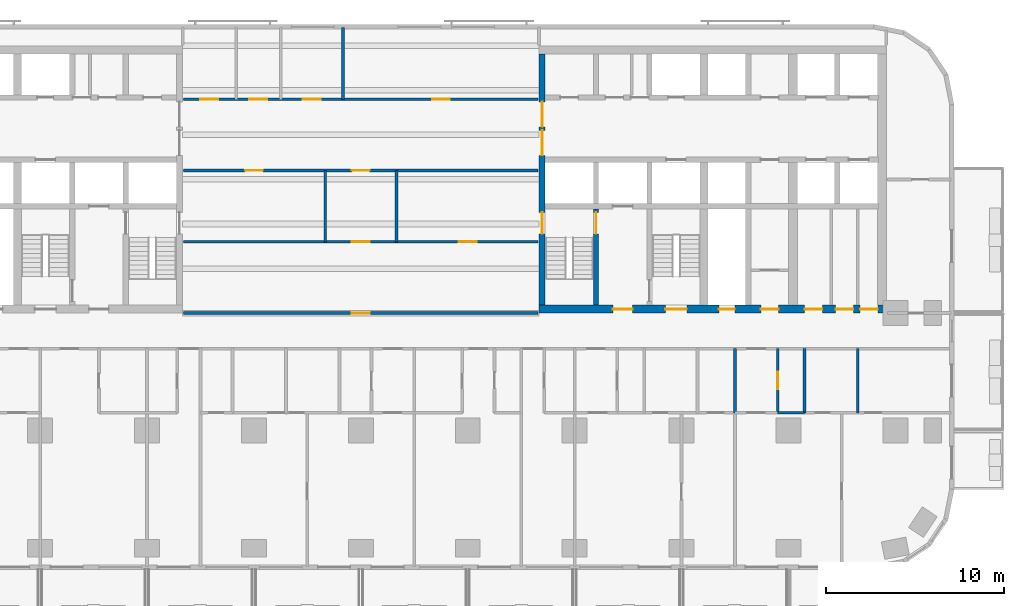
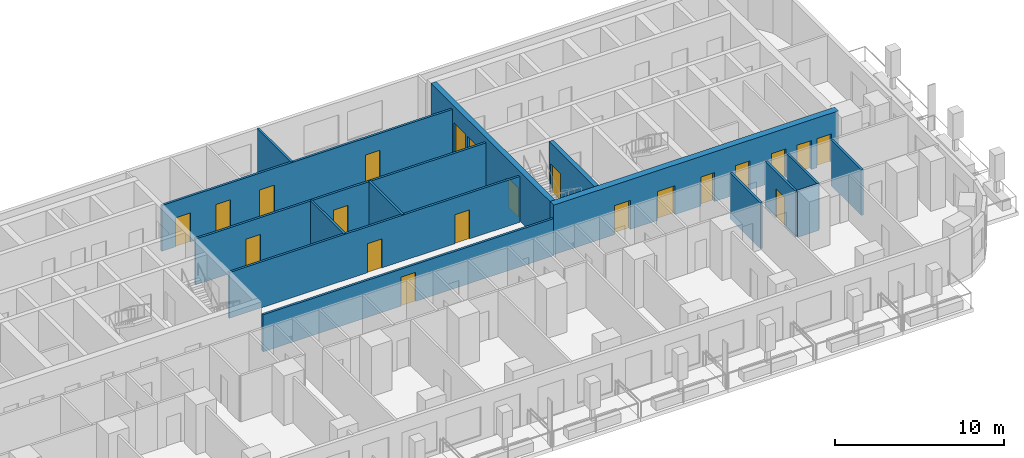
# One storey, part 7 of 15: 21 doors, 15 walls, 21 openings.
"""IFC4 building model written with IfcOpenShell, lengths in metres."""

from ifc_helpers import new_model, si_unit, direction, frame, frame_2d, origin, place, context, subcontext, project, spatial, rectangle, extrude, material, layer, layer_set, type_object, element, fill, save


model = new_model("IFC4")

# Units and contexts
model_context = context("Model", 3, precision=1e-05, world=origin(), true_north=direction((0.0, 1.0)))
body_context = subcontext(model_context, "Body", "Model", "MODEL_VIEW")
ifc_project = project(units=[si_unit("LENGTHUNIT", "METRE"), si_unit("AREAUNIT", "SQUARE_METRE"), si_unit("VOLUMEUNIT", "CUBIC_METRE"), si_unit("PLANEANGLEUNIT", "RADIAN"), si_unit("MASSUNIT", "GRAM", prefix="KILO")], contexts=[model_context])

# Site, building, storey
site_placement = place(None, origin())
site = spatial("IfcSite", under=ifc_project, at=site_placement, CompositionType="ELEMENT")
building_placement = place(site_placement, origin())
building = spatial("IfcBuilding", under=site, at=building_placement, Name="Torana Hotel and Residences", CompositionType="ELEMENT")
storey_placement = place(building_placement, frame((0.0, 0.0, 92.39990234375)))
storey = spatial("IfcBuildingStorey", under=building, at=storey_placement, Name="L23", CompositionType="ELEMENT", Elevation=92.39990234375)

# Wall, opening, door
ifc_material_1 = material(Name="Concrete C80/95", Category="concrete")
ifc_layer_1 = layer(ifc_material_1, 0.300048828125)
ifc_layer_set_1 = layer_set([ifc_layer_1], Name="CORE WALL 300 C80/95")
wall_type_1 = type_object("IfcWallType", Name="CORE WALL 300 C80/95", PredefinedType="SHEAR", material=ifc_layer_set_1)
wall_1_placement = place(storey_placement, frame((13.199951171875, -14.550048828125, 0.0), z_axis=(0.0, 0.0, 1.0), x_axis=(0.0, 1.0, 0.0)))
wall_1 = element("IfcWall", 1, at=wall_1_placement, inside=storey, type_object=wall_type_1, Name="Core wall E x3.05-band", PredefinedType="SHEAR", context=body_context, shape_type="SweptSolid", body=[
    extrude(rectangle(XDim=5.400146484375, YDim=0.300048828125, at=frame_2d((2.7001953125, 0.0))), origin(), (0.0, 0.0, 1.0), 3.60009765625),
])
opening_1_placement = place(wall_1_placement, frame((4.0, 0.0, 0.0)))
opening_1 = element("IfcOpeningElement", 2, at=opening_1_placement, cuts=wall_1, Name="Opening L23-35", PredefinedType="OPENING", context=body_context, shape_type="SweptSolid", body=[
    extrude(rectangle(XDim=1.199951171875, YDim=2.10009765625, at=frame_2d((0.60009765625, 1.050048828125))), frame((0.0, 0.159912109375, 0.0), z_axis=(0.0, -1.0, 0.0), x_axis=(1.0, 0.0, 0.0)), (0.0, 0.0, 1.0), 0.320068359375),
])
ifc_material_2 = material(Name="Steel S235", Category="steel")
door_type_1 = type_object("IfcDoorType", Name="STAIR FIRE DOOR D3 1200x2100", OperationType="SINGLE_SWING_LEFT", PredefinedType="DOOR", material=ifc_material_2)
door_1_placement = place(opening_1_placement, origin())
door_1 = element("IfcDoor", 3, at=door_1_placement, inside=storey, type_object=door_type_1, Name="Stair-A-lobby door L23", OperationType="SINGLE_SWING_LEFT", OverallHeight=2.10009765625, OverallWidth=1.199951171875, PredefinedType="DOOR", context=body_context, shape_type="SweptSolid", body=[
    extrude(rectangle(XDim=1.199951171875, YDim=2.10009765625, at=frame_2d((0.60009765625, 1.050048828125))), frame((0.0, 0.02490234375, 0.0), z_axis=(0.0, -1.0, 0.0), x_axis=(1.0, 0.0, 0.0)), (0.0, 0.0, 1.0), 0.050048828125),
])
fill(opening_1, door_1)

# Wall, openings, doors
ifc_material_3 = material(Name="Concrete C80/95", Category="concrete")
ifc_layer_2 = layer(ifc_material_3, 0.35009765625)
ifc_layer_set_2 = layer_set([ifc_layer_2], Name="CORE WALL 350 C80/95")
wall_type_2 = type_object("IfcWallType", Name="CORE WALL 350 C80/95", PredefinedType="SHEAR", material=ifc_layer_set_2)
wall_2_placement = place(storey_placement, frame((10.175048828125, -14.550048828125, 0.0), z_axis=(0.0, 0.0, 1.0), x_axis=(0.0, 1.0, 0.0)))
wall_2 = element("IfcWall", 4, at=wall_2_placement, inside=storey, type_object=wall_type_2, Name="Core wall E arch", PredefinedType="SHEAR", context=body_context, shape_type="SweptSolid", body=[
    extrude(rectangle(XDim=14.10009765625, YDim=0.35009765625, at=frame_2d((7.050048828125, 0.0))), origin(), (0.0, 0.0, 1.0), 3.60009765625),
])
opening_2_placement = place(wall_2_placement, frame((8.39990234375, 0.0, 0.0)))
opening_2 = element("IfcOpeningElement", 5, at=opening_2_placement, cuts=wall_2, Name="Opening L23-19", PredefinedType="OPENING", context=body_context, shape_type="SweptSolid", body=[
    extrude(rectangle(XDim=1.39990234375, YDim=2.39990234375, at=frame_2d((0.699951171875, 1.199951171875))), frame((0.0, 0.18505859375, 0.0), z_axis=(0.0, -1.0, 0.0), x_axis=(1.0, 0.0, 0.0)), (0.0, 0.0, 1.0), 0.3701171875),
])
opening_3_placement = place(wall_2_placement, frame((10.0, 0.0, 0.0)))
opening_3 = element("IfcOpeningElement", 6, at=opening_3_placement, cuts=wall_2, Name="Opening L23-20", PredefinedType="OPENING", context=body_context, shape_type="SweptSolid", body=[
    extrude(rectangle(XDim=1.39990234375, YDim=2.39990234375, at=frame_2d((0.699951171875, 1.199951171875))), frame((0.0, 0.18505859375, 0.0), z_axis=(0.0, -1.0, 0.0), x_axis=(1.0, 0.0, 0.0)), (0.0, 0.0, 1.0), 0.3701171875),
])
opening_4_placement = place(wall_2_placement, frame((4.0, 0.0, 0.0)))
opening_4 = element("IfcOpeningElement", 7, at=opening_4_placement, cuts=wall_2, Name="Opening L23-21", PredefinedType="OPENING", context=body_context, shape_type="SweptSolid", body=[
    extrude(rectangle(XDim=1.199951171875, YDim=2.10009765625, at=frame_2d((0.60009765625, 1.050048828125))), frame((0.0, 0.18505859375, 0.0), z_axis=(0.0, -1.0, 0.0), x_axis=(1.0, 0.0, 0.0)), (0.0, 0.0, 1.0), 0.3701171875),
])
ifc_material_4 = material(Name="Steel S235", Category="steel")
door_type_2 = type_object("IfcDoorType", Name="LOBBY FIRE DOOR D4 1400x2400", OperationType="DOUBLE_DOOR_SINGLE_SWING", PredefinedType="DOOR", material=ifc_material_4)
door_2_placement = place(opening_2_placement, origin())
door_2 = element("IfcDoor", 8, at=door_2_placement, inside=storey, type_object=door_type_2, Name="Lobby-1 door L23", OperationType="DOUBLE_DOOR_SINGLE_SWING", OverallHeight=2.39990234375, OverallWidth=1.39990234375, PredefinedType="DOOR", context=body_context, shape_type="SweptSolid", body=[
    extrude(rectangle(XDim=1.39990234375, YDim=2.39990234375, at=frame_2d((0.699951171875, 1.199951171875))), frame((0.0, 0.02490234375, 0.0), z_axis=(0.0, -1.0, 0.0), x_axis=(1.0, 0.0, 0.0)), (0.0, 0.0, 1.0), 0.050048828125),
])
fill(opening_2, door_2)
door_3_placement = place(opening_3_placement, origin())
door_3 = element("IfcDoor", 9, at=door_3_placement, inside=storey, type_object=door_type_2, Name="Lobby-2 door L23", OperationType="DOUBLE_DOOR_SINGLE_SWING", OverallHeight=2.39990234375, OverallWidth=1.39990234375, PredefinedType="DOOR", context=body_context, shape_type="SweptSolid", body=[
    extrude(rectangle(XDim=1.39990234375, YDim=2.39990234375, at=frame_2d((0.699951171875, 1.199951171875))), frame((0.0, 0.02490234375, 0.0), z_axis=(0.0, -1.0, 0.0), x_axis=(1.0, 0.0, 0.0)), (0.0, 0.0, 1.0), 0.050048828125),
])
fill(opening_3, door_3)
door_4_placement = place(opening_4_placement, frame((0.60009765625, 0.0, 0.0), z_axis=(0.0, 0.0, 1.0), x_axis=(-1.0, 0.0, 0.0)))
door_4 = element("IfcDoor", 10, at=door_4_placement, inside=storey, type_object=door_type_1, Name="Stair-A door L23", OperationType="SINGLE_SWING_RIGHT", OverallHeight=2.10009765625, OverallWidth=1.199951171875, PredefinedType="DOOR", context=body_context, shape_type="SweptSolid", body=[
    extrude(rectangle(XDim=1.199951171875, YDim=2.10009765625, at=frame_2d((0.0, 1.050048828125))), frame((0.0, -0.02490234375, 0.0), z_axis=(0.0, 1.0, 0.0), x_axis=(-1.0, 0.0, 0.0)), (0.0, 0.0, 1.0), 0.050048828125),
])
fill(opening_4, door_4)

ifc_material_5 = material(Name="Concrete C80/95", Category="concrete")
ifc_layer_3 = layer(ifc_material_5, 0.449951171875)
ifc_layer_set_3 = layer_set([ifc_layer_3], Name="CORE WALL 450 C80/95")
wall_type_3 = type_object("IfcWallType", Name="CORE WALL 450 C80/95", PredefinedType="SHEAR", material=ifc_layer_set_3)
wall_3_placement = place(storey_placement, frame((10.0, -14.77490234375, 0.0), z_axis=(0.0, 0.0, 1.0), x_axis=(1.0, 0.0, 0.0)))
wall_3 = element("IfcWall", 11, at=wall_3_placement, inside=storey, type_object=wall_type_3, Name="Core wall E front", PredefinedType="SHEAR", context=body_context, shape_type="SweptSolid", body=[
    extrude(rectangle(XDim=19.5, YDim=0.449951171875, at=frame_2d((9.75, 0.0))), origin(), (0.0, 0.0, 1.0), 3.60009765625),
])
opening_5_placement = place(wall_3_placement, frame((7.10009765625, 0.0, 0.0)))
opening_5 = element("IfcOpeningElement", 12, at=opening_5_placement, cuts=wall_3, Name="Opening L23-22", PredefinedType="OPENING", context=body_context, shape_type="SweptSolid", body=[
    extrude(rectangle(XDim=1.199951171875, YDim=2.10009765625, at=frame_2d((0.60009765625, 1.050048828125))), frame((0.0, 0.23486328125, 0.0), z_axis=(0.0, -1.0, 0.0), x_axis=(1.0, 0.0, 0.0)), (0.0, 0.0, 1.0), 0.469970703125),
])
opening_6_placement = place(wall_3_placement, frame((4.14990234375, 0.0, 0.0)))
opening_6 = element("IfcOpeningElement", 13, at=opening_6_placement, cuts=wall_3, Name="Opening L23-23", PredefinedType="OPENING", context=body_context, shape_type="SweptSolid", body=[
    extrude(rectangle(XDim=1.10009765625, YDim=2.10009765625, at=frame_2d((0.550048828125, 1.050048828125))), frame((0.0, 0.23486328125, 0.0), z_axis=(0.0, -1.0, 0.0), x_axis=(1.0, 0.0, 0.0)), (0.0, 0.0, 1.0), 0.469970703125),
])
opening_7_placement = place(wall_3_placement, frame((10.10009765625, 0.0, 0.0)))
opening_7 = element("IfcOpeningElement", 14, at=opening_7_placement, cuts=wall_3, Name="Opening L23-24", PredefinedType="OPENING", context=body_context, shape_type="SweptSolid", body=[
    extrude(rectangle(XDim=0.89990234375, YDim=2.10009765625, at=frame_2d((0.449951171875, 1.050048828125))), frame((0.0, 0.23486328125, 0.0), z_axis=(0.0, -1.0, 0.0), x_axis=(1.0, 0.0, 0.0)), (0.0, 0.0, 1.0), 0.469970703125),
])
opening_8_placement = place(wall_3_placement, frame((12.449951171875, 0.0, 0.0)))
opening_8 = element("IfcOpeningElement", 15, at=opening_8_placement, cuts=wall_3, Name="Opening L23-25", PredefinedType="OPENING", context=body_context, shape_type="SweptSolid", body=[
    extrude(rectangle(XDim=1.0, YDim=2.10009765625, at=frame_2d((0.5, 1.050048828125))), frame((0.0, 0.23486328125, 0.0), z_axis=(0.0, -1.0, 0.0), x_axis=(1.0, 0.0, 0.0)), (0.0, 0.0, 1.0), 0.469970703125),
])
opening_9_placement = place(wall_3_placement, frame((14.91259765625, 0.0, 0.0)))
opening_9 = element("IfcOpeningElement", 16, at=opening_9_placement, cuts=wall_3, Name="Opening L23-26", PredefinedType="OPENING", context=body_context, shape_type="SweptSolid", body=[
    extrude(rectangle(XDim=1.0, YDim=2.10009765625, at=frame_2d((0.5, 1.050048828125))), frame((0.0, 0.23486328125, 0.0), z_axis=(0.0, -1.0, 0.0), x_axis=(1.0, 0.0, 0.0)), (0.0, 0.0, 1.0), 0.469970703125),
])
opening_10_placement = place(wall_3_placement, frame((16.64990234375, 0.0, 0.0)))
opening_10 = element("IfcOpeningElement", 17, at=opening_10_placement, cuts=wall_3, Name="Opening L23-27", PredefinedType="OPENING", context=body_context, shape_type="SweptSolid", body=[
    extrude(rectangle(XDim=1.0, YDim=2.10009765625, at=frame_2d((0.5, 1.050048828125))), frame((0.0, 0.23486328125, 0.0), z_axis=(0.0, -1.0, 0.0), x_axis=(1.0, 0.0, 0.0)), (0.0, 0.0, 1.0), 0.469970703125),
])
opening_11_placement = place(wall_3_placement, frame((18.02490234375, 0.0, 0.0)))
opening_11 = element("IfcOpeningElement", 18, at=opening_11_placement, cuts=wall_3, Name="Opening L23-28", PredefinedType="OPENING", context=body_context, shape_type="SweptSolid", body=[
    extrude(rectangle(XDim=1.0, YDim=2.10009765625, at=frame_2d((0.5, 1.050048828125))), frame((0.0, 0.23486328125, 0.0), z_axis=(0.0, -1.0, 0.0), x_axis=(1.0, 0.0, 0.0)), (0.0, 0.0, 1.0), 0.469970703125),
])
ifc_material_6 = material(Name="Steel S235", Category="steel")
door_type_3 = type_object("IfcDoorType", Name="CORE ROOM FIRE DOOR D14 1000x2100", OperationType="SINGLE_SWING_LEFT", PredefinedType="DOOR", material=ifc_material_6)
door_5_placement = place(opening_8_placement, origin())
door_5 = element("IfcDoor", 19, at=door_5_placement, inside=storey, type_object=door_type_3, Name="M-Room-B door L23", OperationType="SINGLE_SWING_RIGHT", OverallHeight=2.10009765625, OverallWidth=1.0, PredefinedType="DOOR", context=body_context, shape_type="SweptSolid", body=[
    extrude(rectangle(XDim=1.0, YDim=2.10009765625, at=frame_2d((0.5, 1.050048828125))), frame((0.0, 0.02490234375, 0.0), z_axis=(0.0, -1.0, 0.0), x_axis=(1.0, 0.0, 0.0)), (0.0, 0.0, 1.0), 0.050048828125),
])
fill(opening_8, door_5)
door_6_placement = place(opening_9_placement, origin())
door_6 = element("IfcDoor", 20, at=door_6_placement, inside=storey, type_object=door_type_3, Name="L-A door L23", OperationType="SINGLE_SWING_RIGHT", OverallHeight=2.10009765625, OverallWidth=1.0, PredefinedType="DOOR", context=body_context, shape_type="SweptSolid", body=[
    extrude(rectangle(XDim=1.0, YDim=2.10009765625, at=frame_2d((0.5, 1.050048828125))), frame((0.0, 0.02490234375, 0.0), z_axis=(0.0, -1.0, 0.0), x_axis=(1.0, 0.0, 0.0)), (0.0, 0.0, 1.0), 0.050048828125),
])
fill(opening_9, door_6)
door_7_placement = place(opening_10_placement, origin())
door_7 = element("IfcDoor", 21, at=door_7_placement, inside=storey, type_object=door_type_3, Name="L-B door L23", OperationType="SINGLE_SWING_RIGHT", OverallHeight=2.10009765625, OverallWidth=1.0, PredefinedType="DOOR", context=body_context, shape_type="SweptSolid", body=[
    extrude(rectangle(XDim=1.0, YDim=2.10009765625, at=frame_2d((0.5, 1.050048828125))), frame((0.0, 0.02490234375, 0.0), z_axis=(0.0, -1.0, 0.0), x_axis=(1.0, 0.0, 0.0)), (0.0, 0.0, 1.0), 0.050048828125),
])
fill(opening_10, door_7)
door_8_placement = place(opening_11_placement, origin())
door_8 = element("IfcDoor", 22, at=door_8_placement, inside=storey, type_object=door_type_3, Name="L-C door L23", OperationType="SINGLE_SWING_RIGHT", OverallHeight=2.10009765625, OverallWidth=1.0, PredefinedType="DOOR", context=body_context, shape_type="SweptSolid", body=[
    extrude(rectangle(XDim=1.0, YDim=2.10009765625, at=frame_2d((0.5, 1.050048828125))), frame((0.0, 0.02490234375, 0.0), z_axis=(0.0, -1.0, 0.0), x_axis=(1.0, 0.0, 0.0)), (0.0, 0.0, 1.0), 0.050048828125),
])
fill(opening_11, door_8)
ifc_material_7 = material(Name="Steel S235", Category="steel")
door_type_4 = type_object("IfcDoorType", Name="FIRE-FIGHTING LOBBY DOOR D8 1100x2100", OperationType="SINGLE_SWING_LEFT", PredefinedType="DOOR", material=ifc_material_7)
door_9_placement = place(opening_6_placement, origin())
door_9 = element("IfcDoor", 23, at=door_9_placement, inside=storey, type_object=door_type_4, Name="FF-lobby door L23", OperationType="SINGLE_SWING_RIGHT", OverallHeight=2.10009765625, OverallWidth=1.10009765625, PredefinedType="DOOR", context=body_context, shape_type="SweptSolid", body=[
    extrude(rectangle(XDim=1.10009765625, YDim=2.10009765625, at=frame_2d((0.550048828125, 1.050048828125))), frame((0.0, 0.02490234375, 0.0), z_axis=(0.0, -1.0, 0.0), x_axis=(1.0, 0.0, 0.0)), (0.0, 0.0, 1.0), 0.050048828125),
])
fill(opening_6, door_9)
ifc_material_8 = material(Name="Steel S235", Category="steel")
door_type_5 = type_object("IfcDoorType", Name="RISER ACCESS DOOR D5 900x2100", OperationType="SINGLE_SWING_LEFT", PredefinedType="DOOR", material=ifc_material_8)
door_10_placement = place(opening_7_placement, origin())
door_10 = element("IfcDoor", 24, at=door_10_placement, inside=storey, type_object=door_type_5, Name="M-Riser door L23", OperationType="SINGLE_SWING_RIGHT", OverallHeight=2.10009765625, OverallWidth=0.89990234375, PredefinedType="DOOR", context=body_context, shape_type="SweptSolid", body=[
    extrude(rectangle(XDim=0.89990234375, YDim=2.10009765625, at=frame_2d((0.449951171875, 1.050048828125))), frame((0.0, 0.02490234375, 0.0), z_axis=(0.0, -1.0, 0.0), x_axis=(1.0, 0.0, 0.0)), (0.0, 0.0, 1.0), 0.050048828125),
])
fill(opening_7, door_10)
door_11_placement = place(opening_5_placement, origin())
door_11 = element("IfcDoor", 25, at=door_11_placement, inside=storey, type_object=door_type_1, Name="Stair-B door L23", OperationType="SINGLE_SWING_RIGHT", OverallHeight=2.10009765625, OverallWidth=1.199951171875, PredefinedType="DOOR", context=body_context, shape_type="SweptSolid", body=[
    extrude(rectangle(XDim=1.199951171875, YDim=2.10009765625, at=frame_2d((0.60009765625, 1.050048828125))), frame((0.0, 0.02490234375, 0.0), z_axis=(0.0, -1.0, 0.0), x_axis=(1.0, 0.0, 0.0)), (0.0, 0.0, 1.0), 0.050048828125),
])
fill(opening_5, door_11)

# Wall, opening, door
ifc_material_9 = material(Name="Gypsum plaster")
ifc_layer_4 = layer(ifc_material_9, 0.014892578125, Name="Plaster", Category="finish")
ifc_material_10 = material(Name="Concrete blockwork", Category="masonry")
ifc_layer_5 = layer(ifc_material_10, 0.1201171875, Name="Blockwork", Category="structure")
ifc_layer_6 = layer(ifc_material_9, 0.014892578125, Name="Plaster", Category="finish")
ifc_layer_set_4 = layer_set([ifc_layer_4, ifc_layer_5, ifc_layer_6], Name="FIRE PARTITION 150 BLOCKWORK")
wall_type_4 = type_object("IfcWallType", Name="FIRE PARTITION 150 BLOCKWORK", PredefinedType="PARTITIONING", material=ifc_layer_set_4)
wall_4_placement = place(storey_placement, frame((23.39990234375, -20.60009765625, 0.0), z_axis=(0.0, 0.0, 1.0), x_axis=(0.0, 1.0, 0.0)))
wall_4 = element("IfcWall", 26, at=wall_4_placement, inside=storey, type_object=wall_type_4, Name="Partition L23", PredefinedType="PARTITIONING", context=body_context, shape_type="SweptSolid", body=[
    extrude(rectangle(XDim=3.60009765625, YDim=0.14990234375, at=frame_2d((1.800048828125, 0.0))), origin(), (0.0, 0.0, 1.0), 3.320068359375),
])
opening_12_placement = place(wall_4_placement, frame((1.320068359375, 0.0, 0.0)))
opening_12 = element("IfcOpeningElement", 27, at=opening_12_placement, cuts=wall_4, Name="Opening L23-79", PredefinedType="OPENING", context=body_context, shape_type="SweptSolid", body=[
    extrude(rectangle(XDim=1.0, YDim=2.10009765625, at=frame_2d((0.5, 1.050048828125))), frame((0.0, 0.0849609375, 0.0), z_axis=(0.0, -1.0, 0.0), x_axis=(1.0, 0.0, 0.0)), (0.0, 0.0, 1.0), 0.169921875),
])
ifc_material_11 = material(Name="Steel S235", Category="steel")
door_type_6 = type_object("IfcDoorType", Name="ENTRY FIRE DOOR D6 1000x2100", OperationType="SINGLE_SWING_LEFT", PredefinedType="DOOR", material=ifc_material_11)
door_12_placement = place(opening_12_placement, frame((0.5, 0.0, 0.0), z_axis=(0.0, 0.0, 1.0), x_axis=(-1.0, 0.0, 0.0)))
door_12 = element("IfcDoor", 28, at=door_12_placement, inside=storey, type_object=door_type_6, Name="Door L23", OperationType="SINGLE_SWING_LEFT", OverallHeight=2.10009765625, OverallWidth=1.0, PredefinedType="DOOR", context=body_context, shape_type="SweptSolid", body=[
    extrude(rectangle(XDim=1.0, YDim=2.10009765625, at=frame_2d((0.0, 1.050048828125))), frame((0.0, -0.02490234375, 0.0), z_axis=(0.0, 1.0, 0.0), x_axis=(-1.0, 0.0, 0.0)), (0.0, 0.0, 1.0), 0.050048828125),
])
fill(opening_12, door_12)

# Walls
wall_5_placement = place(storey_placement, frame((21.0, -20.60009765625, 0.0), z_axis=(0.0, 0.0, 1.0), x_axis=(0.0, 1.0, 0.0)))
element("IfcWall", 29, at=wall_5_placement, inside=storey, type_object=wall_type_4, Name="Partition L23", PredefinedType="PARTITIONING", context=body_context, shape_type="SweptSolid", body=[
    extrude(rectangle(XDim=3.60009765625, YDim=0.14990234375, at=frame_2d((1.800048828125, 0.0))), origin(), (0.0, 0.0, 1.0), 3.320068359375),
])
for number, where, z_axis, x_axis, name in (
    (30, (2.0, -11.0, 0.0), (0.0, 0.0, 1.0), (0.0, 1.0, 0.0), "Partition L23"),
    (31, (-2.0, -11.0, 0.0), (0.0, 0.0, 1.0), (0.0, 1.0, 0.0), "Partition L23"),
):
    element("IfcWall", number, at=place(storey_placement, frame(where, z_axis=z_axis, x_axis=x_axis)), inside=storey, type_object=wall_type_4, Name=name, PredefinedType="PARTITIONING", context=body_context, shape_type="SweptSolid", body=[
        extrude(rectangle(XDim=4.0, YDim=0.14990234375, at=frame_2d((2.0, 0.0))), origin(), (0.0, 0.0, 1.0), 3.320068359375),
    ])

# Wall, opening, door
wall_6_placement = place(storey_placement, frame((-9.949951171875, -15.0, 0.0), z_axis=(0.0, 0.0, 1.0), x_axis=(1.0, 0.0, 0.0)))
wall_6 = element("IfcWall", 32, at=wall_6_placement, inside=storey, type_object=wall_type_4, Name="Partition L23", PredefinedType="PARTITIONING", context=body_context, shape_type="SweptSolid", body=[
    extrude(rectangle(XDim=19.89990234375, YDim=0.14990234375, at=frame_2d((9.949951171875, 0.0))), origin(), (0.0, 0.0, 1.0), 2.68408203125),
])
opening_13_placement = place(wall_6_placement, frame((9.449951171875, 0.0, 0.0)))
opening_13 = element("IfcOpeningElement", 33, at=opening_13_placement, cuts=wall_6, Name="Opening L23-39", PredefinedType="OPENING", context=body_context, shape_type="SweptSolid", body=[
    extrude(rectangle(XDim=1.0, YDim=2.10009765625, at=frame_2d((0.5, 1.050048828125))), frame((0.0, 0.0849609375, 0.0), z_axis=(0.0, -1.0, 0.0), x_axis=(1.0, 0.0, 0.0)), (0.0, 0.0, 1.0), 0.169921875),
])
door_13_placement = place(opening_13_placement, origin())
door_13 = element("IfcDoor", 34, at=door_13_placement, inside=storey, type_object=door_type_6, Name="Door L23", OperationType="SINGLE_SWING_RIGHT", OverallHeight=2.10009765625, OverallWidth=1.0, PredefinedType="DOOR", context=body_context, shape_type="SweptSolid", body=[
    extrude(rectangle(XDim=1.0, YDim=2.10009765625, at=frame_2d((0.5, 1.050048828125))), frame((0.0, 0.02490234375, 0.0), z_axis=(0.0, -1.0, 0.0), x_axis=(1.0, 0.0, 0.0)), (0.0, 0.0, 1.0), 0.050048828125),
])
fill(opening_13, door_13)

# Wall, openings, doors
wall_7_placement = place(storey_placement, frame((-9.949951171875, -11.0, 0.0), z_axis=(0.0, 0.0, 1.0), x_axis=(1.0, 0.0, 0.0)))
wall_7 = element("IfcWall", 35, at=wall_7_placement, inside=storey, type_object=wall_type_4, Name="Partition L23", PredefinedType="PARTITIONING", context=body_context, shape_type="SweptSolid", body=[
    extrude(rectangle(XDim=19.89990234375, YDim=0.14990234375, at=frame_2d((9.949951171875, 0.0))), origin(), (0.0, 0.0, 1.0), 3.320068359375),
])
opening_14_placement = place(wall_7_placement, frame((9.449951171875, 0.0, 0.0)))
opening_14 = element("IfcOpeningElement", 36, at=opening_14_placement, cuts=wall_7, Name="Opening L23-50", PredefinedType="OPENING", context=body_context, shape_type="SweptSolid", body=[
    extrude(rectangle(XDim=1.0, YDim=2.10009765625, at=frame_2d((0.5, 1.050048828125))), frame((0.0, 0.0849609375, 0.0), z_axis=(0.0, -1.0, 0.0), x_axis=(1.0, 0.0, 0.0)), (0.0, 0.0, 1.0), 0.169921875),
])
opening_15_placement = place(wall_7_placement, frame((15.449951171875, 0.0, 0.0)))
opening_15 = element("IfcOpeningElement", 37, at=opening_15_placement, cuts=wall_7, Name="Opening L23-51", PredefinedType="OPENING", context=body_context, shape_type="SweptSolid", body=[
    extrude(rectangle(XDim=1.0, YDim=2.10009765625, at=frame_2d((0.5, 1.050048828125))), frame((0.0, 0.0849609375, 0.0), z_axis=(0.0, -1.0, 0.0), x_axis=(1.0, 0.0, 0.0)), (0.0, 0.0, 1.0), 0.169921875),
])
door_14_placement = place(opening_14_placement, origin())
door_14 = element("IfcDoor", 38, at=door_14_placement, inside=storey, type_object=door_type_6, Name="Door L23", OperationType="SINGLE_SWING_RIGHT", OverallHeight=2.10009765625, OverallWidth=1.0, PredefinedType="DOOR", context=body_context, shape_type="SweptSolid", body=[
    extrude(rectangle(XDim=1.0, YDim=2.10009765625, at=frame_2d((0.5, 1.050048828125))), frame((0.0, 0.02490234375, 0.0), z_axis=(0.0, -1.0, 0.0), x_axis=(1.0, 0.0, 0.0)), (0.0, 0.0, 1.0), 0.050048828125),
])
fill(opening_14, door_14)
door_15_placement = place(opening_15_placement, origin())
door_15 = element("IfcDoor", 39, at=door_15_placement, inside=storey, type_object=door_type_6, Name="Door L23", OperationType="SINGLE_SWING_RIGHT", OverallHeight=2.10009765625, OverallWidth=1.0, PredefinedType="DOOR", context=body_context, shape_type="SweptSolid", body=[
    extrude(rectangle(XDim=1.0, YDim=2.10009765625, at=frame_2d((0.5, 1.050048828125))), frame((0.0, 0.02490234375, 0.0), z_axis=(0.0, -1.0, 0.0), x_axis=(1.0, 0.0, 0.0)), (0.0, 0.0, 1.0), 0.050048828125),
])
fill(opening_15, door_15)

wall_8_placement = place(storey_placement, frame((-9.949951171875, -7.0, 0.0), z_axis=(0.0, 0.0, 1.0), x_axis=(1.0, 0.0, 0.0)))
wall_8 = element("IfcWall", 40, at=wall_8_placement, inside=storey, type_object=wall_type_4, Name="Partition L23", PredefinedType="PARTITIONING", context=body_context, shape_type="SweptSolid", body=[
    extrude(rectangle(XDim=19.89990234375, YDim=0.14990234375, at=frame_2d((9.949951171875, 0.0))), origin(), (0.0, 0.0, 1.0), 3.320068359375),
])
opening_16_placement = place(wall_8_placement, frame((9.449951171875, 0.0, 0.0)))
opening_16 = element("IfcOpeningElement", 41, at=opening_16_placement, cuts=wall_8, Name="Opening L23-52", PredefinedType="OPENING", context=body_context, shape_type="SweptSolid", body=[
    extrude(rectangle(XDim=1.0, YDim=2.10009765625, at=frame_2d((0.5, 1.050048828125))), frame((0.0, 0.0849609375, 0.0), z_axis=(0.0, -1.0, 0.0), x_axis=(1.0, 0.0, 0.0)), (0.0, 0.0, 1.0), 0.169921875),
])
opening_17_placement = place(wall_8_placement, frame((3.449951171875, 0.0, 0.0)))
opening_17 = element("IfcOpeningElement", 42, at=opening_17_placement, cuts=wall_8, Name="Opening L23-53", PredefinedType="OPENING", context=body_context, shape_type="SweptSolid", body=[
    extrude(rectangle(XDim=1.0, YDim=2.10009765625, at=frame_2d((0.5, 1.050048828125))), frame((0.0, 0.0849609375, 0.0), z_axis=(0.0, -1.0, 0.0), x_axis=(1.0, 0.0, 0.0)), (0.0, 0.0, 1.0), 0.169921875),
])
door_16_placement = place(opening_16_placement, origin())
door_16 = element("IfcDoor", 43, at=door_16_placement, inside=storey, type_object=door_type_6, Name="Door L23", OperationType="SINGLE_SWING_RIGHT", OverallHeight=2.10009765625, OverallWidth=1.0, PredefinedType="DOOR", context=body_context, shape_type="SweptSolid", body=[
    extrude(rectangle(XDim=1.0, YDim=2.10009765625, at=frame_2d((0.5, 1.050048828125))), frame((0.0, 0.02490234375, 0.0), z_axis=(0.0, -1.0, 0.0), x_axis=(1.0, 0.0, 0.0)), (0.0, 0.0, 1.0), 0.050048828125),
])
fill(opening_16, door_16)
door_17_placement = place(opening_17_placement, frame((0.5, 0.0, 0.0), z_axis=(0.0, 0.0, 1.0), x_axis=(-1.0, 0.0, 0.0)))
door_17 = element("IfcDoor", 44, at=door_17_placement, inside=storey, type_object=door_type_6, Name="Door L23", OperationType="SINGLE_SWING_LEFT", OverallHeight=2.10009765625, OverallWidth=1.0, PredefinedType="DOOR", context=body_context, shape_type="SweptSolid", body=[
    extrude(rectangle(XDim=1.0, YDim=2.10009765625, at=frame_2d((0.0, 1.050048828125))), frame((0.0, -0.02490234375, 0.0), z_axis=(0.0, 1.0, 0.0), x_axis=(-1.0, 0.0, 0.0)), (0.0, 0.0, 1.0), 0.050048828125),
])
fill(opening_17, door_17)

wall_9_placement = place(storey_placement, frame((-9.949951171875, -3.0, 0.0), z_axis=(0.0, 0.0, 1.0), x_axis=(1.0, 0.0, 0.0)))
wall_9 = element("IfcWall", 45, at=wall_9_placement, inside=storey, type_object=wall_type_4, Name="Partition L23", PredefinedType="PARTITIONING", context=body_context, shape_type="SweptSolid", body=[
    extrude(rectangle(XDim=19.89990234375, YDim=0.14990234375, at=frame_2d((9.949951171875, 0.0))), origin(), (0.0, 0.0, 1.0), 3.320068359375),
])
opening_18_placement = place(wall_9_placement, frame((0.949951171875, 0.0, 0.0)))
opening_18 = element("IfcOpeningElement", 46, at=opening_18_placement, cuts=wall_9, Name="Opening L23-54", PredefinedType="OPENING", context=body_context, shape_type="SweptSolid", body=[
    extrude(rectangle(XDim=1.0, YDim=2.10009765625, at=frame_2d((0.5, 1.050048828125))), frame((0.0, 0.0849609375, 0.0), z_axis=(0.0, -1.0, 0.0), x_axis=(1.0, 0.0, 0.0)), (0.0, 0.0, 1.0), 0.169921875),
])
opening_19_placement = place(wall_9_placement, frame((3.699951171875, 0.0, 0.0)))
opening_19 = element("IfcOpeningElement", 47, at=opening_19_placement, cuts=wall_9, Name="Opening L23-55", PredefinedType="OPENING", context=body_context, shape_type="SweptSolid", body=[
    extrude(rectangle(XDim=1.0, YDim=2.10009765625, at=frame_2d((0.5, 1.050048828125))), frame((0.0, 0.0849609375, 0.0), z_axis=(0.0, -1.0, 0.0), x_axis=(1.0, 0.0, 0.0)), (0.0, 0.0, 1.0), 0.169921875),
])
opening_20_placement = place(wall_9_placement, frame((6.699951171875, 0.0, 0.0)))
opening_20 = element("IfcOpeningElement", 48, at=opening_20_placement, cuts=wall_9, Name="Opening L23-56", PredefinedType="OPENING", context=body_context, shape_type="SweptSolid", body=[
    extrude(rectangle(XDim=1.0, YDim=2.10009765625, at=frame_2d((0.5, 1.050048828125))), frame((0.0, 0.0849609375, 0.0), z_axis=(0.0, -1.0, 0.0), x_axis=(1.0, 0.0, 0.0)), (0.0, 0.0, 1.0), 0.169921875),
])
opening_21_placement = place(wall_9_placement, frame((13.949951171875, 0.0, 0.0)))
opening_21 = element("IfcOpeningElement", 49, at=opening_21_placement, cuts=wall_9, Name="Opening L23-57", PredefinedType="OPENING", context=body_context, shape_type="SweptSolid", body=[
    extrude(rectangle(XDim=1.0, YDim=2.10009765625, at=frame_2d((0.5, 1.050048828125))), frame((0.0, 0.0849609375, 0.0), z_axis=(0.0, -1.0, 0.0), x_axis=(1.0, 0.0, 0.0)), (0.0, 0.0, 1.0), 0.169921875),
])
door_18_placement = place(opening_18_placement, origin())
door_18 = element("IfcDoor", 50, at=door_18_placement, inside=storey, type_object=door_type_6, Name="Door L23", OperationType="SINGLE_SWING_RIGHT", OverallHeight=2.10009765625, OverallWidth=1.0, PredefinedType="DOOR", context=body_context, shape_type="SweptSolid", body=[
    extrude(rectangle(XDim=1.0, YDim=2.10009765625, at=frame_2d((0.5, 1.050048828125))), frame((0.0, 0.02490234375, 0.0), z_axis=(0.0, -1.0, 0.0), x_axis=(1.0, 0.0, 0.0)), (0.0, 0.0, 1.0), 0.050048828125),
])
fill(opening_18, door_18)
door_19_placement = place(opening_19_placement, origin())
door_19 = element("IfcDoor", 51, at=door_19_placement, inside=storey, type_object=door_type_6, Name="Door L23", OperationType="SINGLE_SWING_RIGHT", OverallHeight=2.10009765625, OverallWidth=1.0, PredefinedType="DOOR", context=body_context, shape_type="SweptSolid", body=[
    extrude(rectangle(XDim=1.0, YDim=2.10009765625, at=frame_2d((0.5, 1.050048828125))), frame((0.0, 0.02490234375, 0.0), z_axis=(0.0, -1.0, 0.0), x_axis=(1.0, 0.0, 0.0)), (0.0, 0.0, 1.0), 0.050048828125),
])
fill(opening_19, door_19)
door_20_placement = place(opening_20_placement, origin())
door_20 = element("IfcDoor", 52, at=door_20_placement, inside=storey, type_object=door_type_6, Name="Door L23", OperationType="SINGLE_SWING_RIGHT", OverallHeight=2.10009765625, OverallWidth=1.0, PredefinedType="DOOR", context=body_context, shape_type="SweptSolid", body=[
    extrude(rectangle(XDim=1.0, YDim=2.10009765625, at=frame_2d((0.5, 1.050048828125))), frame((0.0, 0.02490234375, 0.0), z_axis=(0.0, -1.0, 0.0), x_axis=(1.0, 0.0, 0.0)), (0.0, 0.0, 1.0), 0.050048828125),
])
fill(opening_20, door_20)
door_21_placement = place(opening_21_placement, origin())
door_21 = element("IfcDoor", 53, at=door_21_placement, inside=storey, type_object=door_type_6, Name="Door L23", OperationType="SINGLE_SWING_RIGHT", OverallHeight=2.10009765625, OverallWidth=1.0, PredefinedType="DOOR", context=body_context, shape_type="SweptSolid", body=[
    extrude(rectangle(XDim=1.0, YDim=2.10009765625, at=frame_2d((0.5, 1.050048828125))), frame((0.0, 0.02490234375, 0.0), z_axis=(0.0, -1.0, 0.0), x_axis=(1.0, 0.0, 0.0)), (0.0, 0.0, 1.0), 0.050048828125),
])
fill(opening_21, door_21)

# Walls
ifc_material_12 = material(Name="Gypsum plasterboard")
ifc_layer_7 = layer(ifc_material_12, 0.012451171875, Name="Plasterboard", Category="finish")
ifc_layer_8 = layer(ifc_material_12, 0.012451171875, Name="Plasterboard", Category="finish")
ifc_material_13 = material(Name="Steel S280GD", Category="steel")
ifc_layer_9 = layer(ifc_material_13, 0.10009765625, Name="Steel studs with mineral wool", Category="insulation")
ifc_layer_10 = layer(ifc_material_12, 0.012451171875, Name="Plasterboard", Category="finish")
ifc_layer_11 = layer(ifc_material_12, 0.012451171875, Name="Plasterboard", Category="finish")
ifc_layer_set_5 = layer_set([ifc_layer_7, ifc_layer_8, ifc_layer_9, ifc_layer_10, ifc_layer_11], Name="PARTITION 150 PLASTERBOARD")
wall_type_5 = type_object("IfcWallType", Name="PARTITION 150 PLASTERBOARD", PredefinedType="PARTITIONING", material=ifc_layer_set_5)
wall_10_placement = place(storey_placement, frame((27.89990234375, -20.60009765625, 0.0), z_axis=(0.0, 0.0, 1.0), x_axis=(0.0, 1.0, 0.0)))
element("IfcWall", 54, at=wall_10_placement, inside=storey, type_object=wall_type_5, Name="Partition L23", PredefinedType="PARTITIONING", context=body_context, shape_type="SweptSolid", body=[
    extrude(rectangle(XDim=3.60009765625, YDim=0.14990234375, at=frame_2d((1.800048828125, 0.0))), origin(), (0.0, 0.0, 1.0), 3.320068359375),
])
wall_11_placement = place(storey_placement, frame((-1.0, -3.0, 0.0), z_axis=(0.0, 0.0, 1.0), x_axis=(0.0, 1.0, 0.0)))
element("IfcWall", 55, at=wall_11_placement, inside=storey, type_object=wall_type_5, Name="Partition L23", PredefinedType="PARTITIONING", context=body_context, shape_type="SweptSolid", body=[
    extrude(rectangle(XDim=4.02001953125, YDim=0.14990234375, at=frame_2d((2.010009765625, 0.0))), origin(), (0.0, 0.0, 1.0), 3.320068359375),
])
ifc_material_14 = material(Name="Ceramic tile on adhesive")
ifc_layer_12 = layer(ifc_material_14, 0.010009765625, Name="Wall tile", Category="finish")
ifc_material_15 = material(Name="Cement render")
ifc_layer_13 = layer(ifc_material_15, 0.010009765625, Name="Render", Category="finish")
ifc_layer_14 = layer(ifc_material_10, 0.110107421875, Name="Blockwork", Category="structure")
ifc_layer_15 = layer(ifc_material_15, 0.010009765625, Name="Render", Category="finish")
ifc_layer_16 = layer(ifc_material_14, 0.010009765625, Name="Wall tile", Category="finish")
ifc_layer_set_6 = layer_set([ifc_layer_12, ifc_layer_13, ifc_layer_14, ifc_layer_15, ifc_layer_16], Name="WC PARTITION 150")
wall_type_6 = type_object("IfcWallType", Name="WC PARTITION 150", PredefinedType="PLUMBINGWALL", material=ifc_layer_set_6)
wall_12_placement = place(storey_placement, frame((24.89990234375, -20.60009765625, 0.0), z_axis=(0.0, 0.0, 1.0), x_axis=(0.0, 1.0, 0.0)))
element("IfcWall", 56, at=wall_12_placement, inside=storey, type_object=wall_type_6, Name="Partition L23", PredefinedType="PLUMBINGWALL", context=body_context, shape_type="SweptSolid", body=[
    extrude(rectangle(XDim=3.60009765625, YDim=0.14990234375, at=frame_2d((1.800048828125, 0.0))), origin(), (0.0, 0.0, 1.0), 3.320068359375),
])
wall_13_placement = place(storey_placement, frame((23.39990234375, -20.60009765625, 0.0), z_axis=(0.0, 0.0, 1.0), x_axis=(1.0, 0.0, 0.0)))
element("IfcWall", 57, at=wall_13_placement, inside=storey, type_object=wall_type_6, Name="Partition L23", PredefinedType="PLUMBINGWALL", context=body_context, shape_type="SweptSolid", body=[
    extrude(rectangle(XDim=1.5, YDim=0.14990234375, at=frame_2d((0.75, 0.0))), origin(), (0.0, 0.0, 1.0), 3.320068359375),
])

save(model, "model.ifc")
